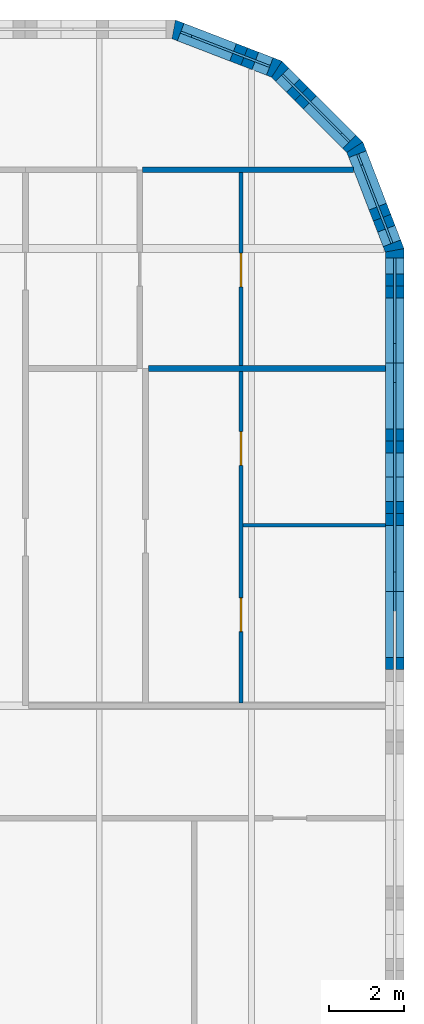
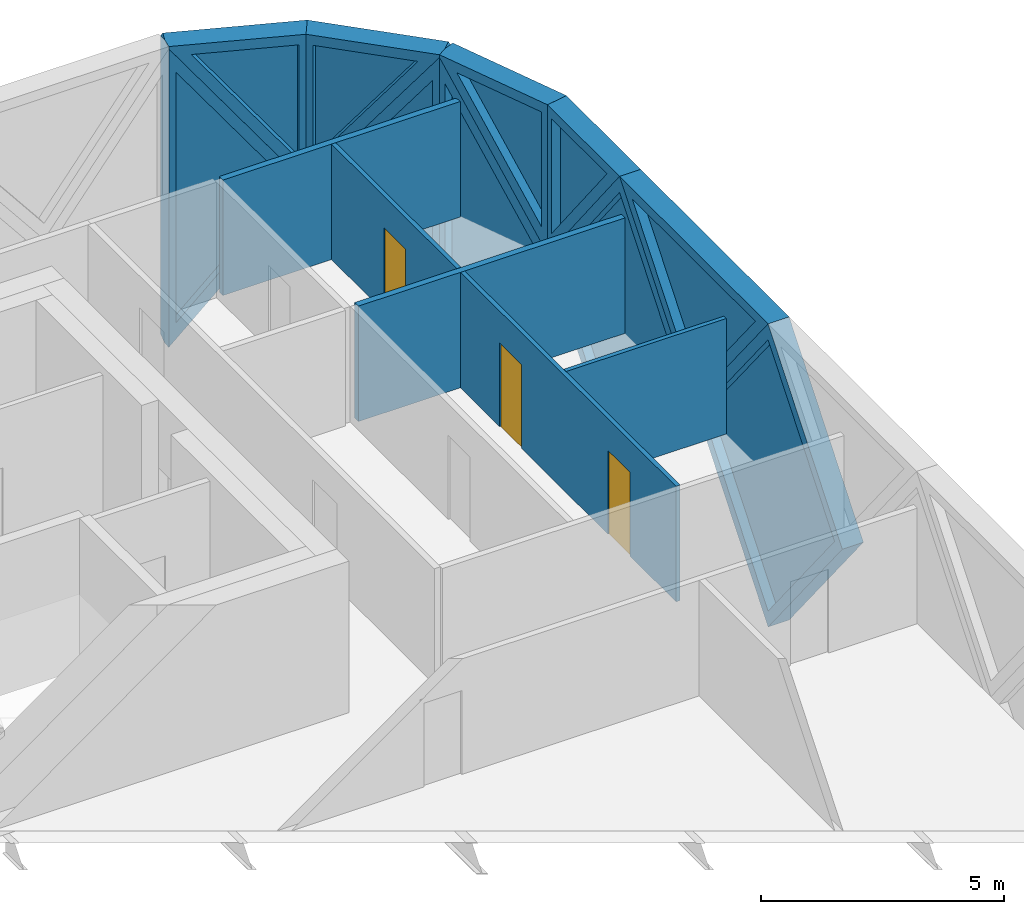
# One storey, part 18 of 21: 15 walls, 10 plates, 3 doors, 13 openings.
"""IFC4 building model written with IfcOpenShell, lengths in metres."""

from ifc_helpers import new_model, si_unit, direction, frame, frame_2d, origin, place, context, subcontext, project, spatial, polyline, rectangle, outline, extrude, faceted_brep, source, transform, mapped, material, layer, layer_set, type_object, element, fill, save


model = new_model("IFC4")

# Units and contexts
model_context = context("Model", 3, precision=1e-05, world=origin(), true_north=direction((0.0, 1.0)))
body_context = subcontext(model_context, "Body", "Model", "MODEL_VIEW")
ifc_project = project(units=[si_unit("LENGTHUNIT", "METRE"), si_unit("AREAUNIT", "SQUARE_METRE"), si_unit("VOLUMEUNIT", "CUBIC_METRE"), si_unit("PLANEANGLEUNIT", "RADIAN"), si_unit("MASSUNIT", "GRAM", prefix="KILO")], contexts=[model_context])

# Site, building, storey
site_placement = place(None, origin())
site = spatial("IfcSite", under=ifc_project, at=site_placement, CompositionType="ELEMENT")
building_placement = place(site_placement, origin())
building = spatial("IfcBuilding", under=site, at=building_placement, Name="Tessera Gate Towers", CompositionType="ELEMENT")
storey_placement = place(building_placement, frame((0.0, 0.0, 91.39990234375)))
storey = spatial("IfcBuildingStorey", under=building, at=storey_placement, Name="L22", CompositionType="ELEMENT", Elevation=91.39990234375)

# Wall, openings, doors
ifc_material_1 = material(Name="Gypsum board on steel studs", Category="steel")
ifc_layer_1 = layer(ifc_material_1, 0.10009765625)
ifc_layer_set_1 = layer_set([ifc_layer_1], Name="PARTITION 100")
wall_type_1 = type_object("IfcWallType", Name="PARTITION 100", PredefinedType="PARTITIONING", material=ifc_layer_set_1)
wall_1_placement = place(storey_placement, frame((129.85009765625, 45.52392578125, 0.0), z_axis=(0.0, 0.0, 1.0), x_axis=(0.0, -1.0, 0.0)))
wall_1 = element("IfcWall", 1, at=wall_1_placement, inside=storey, type_object=wall_type_1, Name="T2-L22-PW-028", PredefinedType="PARTITIONING", context=body_context, shape_type="SweptSolid", body=[
    extrude(rectangle(XDim=8.847900390625, YDim=0.10009765625, at=frame_2d((4.423828125, 0.0))), origin(), (0.0, 0.0, 1.0), 2.89501953125),
])
shared_shape_1 = source(origin(), body_context, "Body", "SweptSolid", [
    extrude(rectangle(XDim=0.89990234375, YDim=2.10009765625, at=frame_2d((0.449951171875, 1.050048828125))), frame((0.0, 0.06005859375, 0.0), z_axis=(0.0, -1.0, 0.0), x_axis=(1.0, 0.0, 0.0)), (0.0, 0.0, 1.0), 0.1201171875),
])
opening_1_placement = place(wall_1_placement, frame((1.60791015625, 0.0, 0.0)))
opening_1 = element("IfcOpeningElement", 2, at=opening_1_placement, cuts=wall_1, Name="Opening D190-B09-01", PredefinedType="OPENING", context=body_context, shape_type="MappedRepresentation", body=[
    mapped(shared_shape_1, transform((0.0, 0.0, 0.0), scale=1.0)),
])
opening_2_placement = place(wall_1_placement, frame((6.048095703125, 0.0, 0.0)))
opening_2 = element("IfcOpeningElement", 3, at=opening_2_placement, cuts=wall_1, Name="Opening D190-B09-05", PredefinedType="OPENING", context=body_context, shape_type="MappedRepresentation", body=[
    mapped(shared_shape_1, transform((0.0, 0.0, 0.0), scale=1.0)),
])
ifc_material_2 = material(Name="Timber door leaf in steel frame", Category="steel")
door_type = type_object("IfcDoorType", Name="INTERNAL DOOR 900 NOT RATED", OperationType="NOTDEFINED", PredefinedType="DOOR", material=ifc_material_2)
shared_shape_2 = source(origin(), body_context, "Body", "SweptSolid", [
    extrude(rectangle(XDim=0.89990234375, YDim=2.10009765625, at=frame_2d((0.449951171875, 1.050048828125))), frame((0.0, 0.02490234375, 0.0), z_axis=(0.0, -1.0, 0.0), x_axis=(1.0, 0.0, 0.0)), (0.0, 0.0, 1.0), 0.050048828125),
])
door_1_placement = place(opening_1_placement, origin())
door_1 = element("IfcDoor", 4, at=door_1_placement, inside=storey, type_object=door_type, Name="T2-L22-PD-001", OperationType="SINGLE_SWING_RIGHT", OverallHeight=2.10009765625, OverallWidth=0.89990234375, PredefinedType="DOOR", context=body_context, shape_type="MappedRepresentation", body=[
    mapped(shared_shape_2, transform((0.0, 0.0, 0.0), scale=1.0)),
])
fill(opening_1, door_1)
door_2_placement = place(opening_2_placement, origin())
door_2 = element("IfcDoor", 5, at=door_2_placement, inside=storey, type_object=door_type, Name="T2-L22-PD-006", OperationType="SINGLE_SWING_RIGHT", OverallHeight=2.10009765625, OverallWidth=0.89990234375, PredefinedType="DOOR", context=body_context, shape_type="MappedRepresentation", body=[
    mapped(shared_shape_2, transform((0.0, 0.0, 0.0), scale=1.0)),
])
fill(opening_2, door_2)

# Wall
wall_2_placement = place(storey_placement, frame((129.90087890625, 41.4150390625, 0.0), z_axis=(0.0, 0.0, 1.0), x_axis=(1.0, 0.0, 0.0)))
element("IfcWall", 6, at=wall_2_placement, inside=storey, type_object=wall_type_1, Name="T2-L22-PW-030", PredefinedType="PARTITIONING", context=body_context, shape_type="SweptSolid", body=[
    extrude(rectangle(XDim=3.799072265625, YDim=0.10009765625, at=frame_2d((1.8994140625, 0.0))), origin(), (0.0, 0.0, 1.0), 2.89501953125),
])

# Wall, opening, door
wall_3_placement = place(storey_placement, frame((129.85009765625, 50.823974609375, 0.0), z_axis=(0.0, 0.0, 1.0), x_axis=(0.0, -1.0, 0.0)))
wall_3 = element("IfcWall", 7, at=wall_3_placement, inside=storey, type_object=wall_type_1, Name="T2-L22-PW-037", PredefinedType="PARTITIONING", context=body_context, shape_type="SweptSolid", body=[
    extrude(rectangle(XDim=5.14794921875, YDim=0.10009765625, at=frame_2d((2.573974609375, 0.0))), origin(), (0.0, 0.0, 1.0), 2.89501953125),
])
opening_3_placement = place(wall_3_placement, frame((2.14794921875, 0.0, 0.0)))
opening_3 = element("IfcOpeningElement", 8, at=opening_3_placement, cuts=wall_3, Name="Opening D190-B09-07", PredefinedType="OPENING", context=body_context, shape_type="MappedRepresentation", body=[
    mapped(shared_shape_1, transform((0.0, 0.0, 0.0), scale=1.0)),
])
door_3_placement = place(opening_3_placement, origin())
door_3 = element("IfcDoor", 9, at=door_3_placement, inside=storey, type_object=door_type, Name="T2-L22-PD-009", OperationType="SINGLE_SWING_RIGHT", OverallHeight=2.10009765625, OverallWidth=0.89990234375, PredefinedType="DOOR", context=body_context, shape_type="MappedRepresentation", body=[
    mapped(shared_shape_2, transform((0.0, 0.0, 0.0), scale=1.0)),
])
fill(opening_3, door_3)

# Walls
ifc_material_3 = material(Name="Gypsum board on steel studs, mineral wool", Category="steel")
ifc_layer_2 = layer(ifc_material_3, 0.14990234375)
ifc_layer_set_2 = layer_set([ifc_layer_2], Name="TENANCY WALL 150")
wall_type_2 = type_object("IfcWallType", Name="TENANCY WALL 150", PredefinedType="PARTITIONING", material=ifc_layer_set_2)
wall_4_placement = place(storey_placement, frame((127.3759765625, 45.60009765625, 0.0), z_axis=(0.0, 0.0, 1.0), x_axis=(1.0, 0.0, 0.0)))
element("IfcWall", 10, at=wall_4_placement, inside=storey, type_object=wall_type_2, Name="T2-L22-PW-035", PredefinedType="PARTITIONING", context=body_context, shape_type="SweptSolid", body=[
    extrude(rectangle(XDim=6.323974609375, YDim=0.14990234375, at=frame_2d((3.162109375, 0.0))), origin(), (0.0, 0.0, 1.0), 2.89501953125),
])
wall_5_placement = place(storey_placement, frame((127.22607421875, 50.89990234375, 0.0), z_axis=(0.0, 0.0, 1.0), x_axis=(1.0, 0.0, 0.0)))
element("IfcWall", 11, at=wall_5_placement, inside=storey, type_object=wall_type_2, Name="T2-L22-PW-042", PredefinedType="PARTITIONING", context=body_context, shape_type="SweptSolid", body=[
    extrude(rectangle(XDim=5.6279296875, YDim=0.14990234375, at=frame_2d((2.81396484375, 0.0))), origin(), (0.0, 0.0, 1.0), 2.89501953125),
])

# Wall, opening, plate
ifc_material_4 = material(Name="Precast concrete C60/75 white", Category="concrete")
ifc_layer_3 = layer(ifc_material_4, 0.5)
ifc_layer_set_3 = layer_set([ifc_layer_3], Name="TS1 tessera")
wall_type_3 = type_object("IfcWallType", Name="TS1 tessera", PredefinedType="SOLIDWALL", material=ifc_layer_set_3)
shared_shape_3 = source(origin(), body_context, "Body", "Brep", [
    faceted_brep([(3.050048828125, -0.25, 0.0), (6.099853515625, -0.25, 3.799560546875), (6.099853515625, -0.25, 3.800048828125), (3.050048828125, -0.25, 7.599853515625), (0.0, -0.25, 3.7998046875), (0.0, 0.25, 3.7998046875), (3.050048828125, 0.25, 7.599853515625), (6.099853515625, 0.25, 3.800048828125), (6.099853515625, 0.25, 3.799560546875), (3.050048828125, 0.25, 0.0)], [[[0, 1, 2, 3, 4]], [[5, 6, 7, 8, 9]], [[9, 8, 1, 0]], [[7, 6, 3, 2]], [[6, 5, 4, 3]], [[5, 9, 0, 4]], [[1, 8, 7, 2]]]),
])
wall_6_placement = place(storey_placement, frame((133.949951171875, 36.60009765625, -3.7998046875), z_axis=(0.0, 0.0, 1.0), x_axis=(0.0, 1.0, 0.0)))
wall_6 = element("IfcWall", 12, at=wall_6_placement, inside=storey, type_object=wall_type_3, Name="Precast tessera T2 TS1-0277", PredefinedType="SOLIDWALL", context=body_context, shape_type="MappedRepresentation", body=[
    mapped(shared_shape_3, transform((0.0, 0.0, 0.0), scale=1.0)),
])
shared_shape_4 = source(origin(), body_context, "Body", "SweptSolid", [
    extrude(outline(polyline([(3.050048828125, 0.3994140625), (5.779541015625, 3.7998046875), (3.050048828125, 7.200439453125), (0.320556640625, 3.7998046875), (3.050048828125, 0.3994140625)])), frame((0.0, 0.260009765625, 0.0), z_axis=(0.0, -1.0, 0.0), x_axis=(1.0, 0.0, 0.0)), (0.0, 0.0, 1.0), 0.52001953125),
])
opening_4_placement = place(wall_6_placement, origin())
opening_4 = element("IfcOpeningElement", 13, at=opening_4_placement, cuts=wall_6, Name="Opening T2-PL2-0523", PredefinedType="OPENING", context=body_context, shape_type="MappedRepresentation", body=[
    mapped(shared_shape_4, transform((0.0, 0.0, 0.0), scale=1.0)),
])
ifc_material_5 = material(Name="Low-e laminated glass", Category="glass")
ifc_layer_4 = layer(ifc_material_5, 0.06005859375)
ifc_layer_set_4 = layer_set([ifc_layer_4], Name="PL2 rhombic pane")
plate_type_1 = type_object("IfcPlateType", Name="PL2 rhombic pane", PredefinedType="SHEET", material=ifc_layer_set_4)
shared_shape_5 = source(origin(), body_context, "Body", "SweptSolid", [
    extrude(outline(polyline([(3.050048828125, 0.3994140625), (5.779541015625, 3.7998046875), (3.050048828125, 7.200439453125), (0.320556640625, 3.7998046875), (3.050048828125, 0.3994140625)])), frame((0.0, 0.030029296875, 0.0), z_axis=(0.0, -1.0, 0.0), x_axis=(1.0, 0.0, 0.0)), (0.0, 0.0, 1.0), 0.06005859375),
])
plate_1_placement = place(opening_4_placement, origin())
plate_1 = element("IfcPlate", 14, at=plate_1_placement, inside=storey, type_object=plate_type_1, Name="Glass pane T2 PL2-0523", PredefinedType="SHEET", context=body_context, shape_type="MappedRepresentation", body=[
    mapped(shared_shape_5, transform((0.0, 0.0, 0.0), scale=1.0)),
])
fill(opening_4, plate_1)

shared_shape_6 = source(origin(), body_context, "Body", "Brep", [
    faceted_brep([(3.050048828125, -0.25, 0.0), (6.053466796875, -0.25, 3.7998046875), (3.050048828125, -0.25, 7.599853515625), (0.0, -0.25, 3.7998046875), (0.0, 0.25, 3.7998046875), (3.050048828125, 0.25, 7.599853515625), (6.0068359375, 0.25, 3.858642578125), (6.0068359375, 0.25, 3.740966796875), (3.050048828125, 0.25, 0.0), (6.053466796875, 0.0, 3.7998046875)], [[[0, 1, 2, 3]], [[4, 5, 6, 7, 8]], [[8, 7, 9, 1, 0]], [[6, 5, 2, 1, 9]], [[5, 4, 3, 2]], [[4, 8, 0, 3]], [[9, 7, 6]]]),
])
wall_7_placement = place(storey_placement, frame((133.949951171875, 42.699951171875, -3.7998046875), z_axis=(0.0, 0.0, 1.0), x_axis=(0.0, 1.0, 0.0)))
wall_7 = element("IfcWall", 15, at=wall_7_placement, inside=storey, type_object=wall_type_3, Name="Precast tessera T2 TS1-0278", PredefinedType="SOLIDWALL", context=body_context, shape_type="MappedRepresentation", body=[
    mapped(shared_shape_6, transform((0.0, 0.0, 0.0), scale=1.0)),
])
shared_shape_7 = source(origin(), body_context, "Body", "SweptSolid", [
    extrude(outline(polyline([(3.048583984375, 0.401123046875), (5.73486328125, 3.7998046875), (3.048583984375, 7.19873046875), (0.320556640625, 3.7998046875), (3.048583984375, 0.401123046875)])), frame((0.0, 0.260009765625, 0.0), z_axis=(0.0, -1.0, 0.0), x_axis=(1.0, 0.0, 0.0)), (0.0, 0.0, 1.0), 0.52001953125),
])
opening_5_placement = place(wall_7_placement, origin())
opening_5 = element("IfcOpeningElement", 16, at=opening_5_placement, cuts=wall_7, Name="Opening T2-PL2-0524", PredefinedType="OPENING", context=body_context, shape_type="MappedRepresentation", body=[
    mapped(shared_shape_7, transform((0.0, 0.0, 0.0), scale=1.0)),
])
shared_shape_8 = source(origin(), body_context, "Body", "SweptSolid", [
    extrude(outline(polyline([(3.048583984375, 0.401123046875), (5.73486328125, 3.7998046875), (3.048583984375, 7.19873046875), (0.320556640625, 3.7998046875), (3.048583984375, 0.401123046875)])), frame((0.0, 0.030029296875, 0.0), z_axis=(0.0, -1.0, 0.0), x_axis=(1.0, 0.0, 0.0)), (0.0, 0.0, 1.0), 0.06005859375),
])
plate_2_placement = place(opening_5_placement, origin())
plate_2 = element("IfcPlate", 17, at=plate_2_placement, inside=storey, type_object=plate_type_1, Name="Glass pane T2 PL2-0524", PredefinedType="SHEET", context=body_context, shape_type="MappedRepresentation", body=[
    mapped(shared_shape_8, transform((0.0, 0.0, 0.0), scale=1.0)),
])
fill(opening_5, plate_2)

ifc_material_6 = material(Name="Precast concrete C60/75 white", Category="concrete")
ifc_layer_5 = layer(ifc_material_6, 0.5)
ifc_layer_set_5 = layer_set([ifc_layer_5], Name="TS3 corner tessera")
wall_type_4 = type_object("IfcWallType", Name="TS3 corner tessera", PredefinedType="SOLIDWALL", material=ifc_layer_set_5)
shared_shape_9 = source(origin(), body_context, "Body", "Brep", [
    faceted_brep([(2.950439453125, -0.25, 0.0), (2.9970703125, -0.25, 0.05908203125), (2.9970703125, -0.25, 7.540771484375), (2.950439453125, -0.25, 7.599853515625), (0.0, -0.25, 3.7998046875), (0.052978515625, 0.25, 3.867919921875), (2.904052734375, 0.25, 7.5400390625), (2.904052734375, 0.25, 0.059814453125), (0.052978515625, 0.25, 3.731689453125), (2.950439453125, 0.00048828125, 0.0), (2.950439453125, 0.00048828125, 7.599853515625), (0.0, 0.0, 3.7998046875)], [[[0, 1, 2, 3, 4]], [[5, 6, 7, 8]], [[1, 0, 9]], [[10, 3, 2]], [[6, 5, 11, 4, 3, 10]], [[8, 7, 9, 0, 4, 11]], [[8, 11, 5]], [[1, 9, 7, 6, 10, 2]]]),
])
wall_8_placement = place(storey_placement, frame((130.80615234375, 53.588134765625, -3.7998046875), z_axis=(0.0, 0.0, 1.0), x_axis=(-0.932990326376, 0.359901446078, 0.0)))
wall_8 = element("IfcWall", 18, at=wall_8_placement, inside=storey, type_object=wall_type_4, Name="Precast corner tessera T2 TS3-0329", PredefinedType="SOLIDWALL", context=body_context, shape_type="MappedRepresentation", body=[
    mapped(shared_shape_9, transform((0.0, 0.0, 0.0), scale=1.0)),
])
shared_shape_10 = source(origin(), body_context, "Body", "SweptSolid", [
    extrude(outline(polyline([(2.75048828125, 6.9345703125), (0.31640625, 3.7998046875), (2.75048828125, 0.6650390625), (2.75048828125, 6.9345703125)])), frame((0.0, 0.260009765625, 0.0), z_axis=(0.0, -1.0, 0.0), x_axis=(1.0, 0.0, 0.0)), (0.0, 0.0, 1.0), 0.52001953125),
])
opening_6_placement = place(wall_8_placement, origin())
opening_6 = element("IfcOpeningElement", 19, at=opening_6_placement, cuts=wall_8, Name="Opening T2-PL2-0527", PredefinedType="OPENING", context=body_context, shape_type="MappedRepresentation", body=[
    mapped(shared_shape_10, transform((0.0, 0.0, 0.0), scale=1.0)),
])
shared_shape_11 = source(origin(), body_context, "Body", "SweptSolid", [
    extrude(outline(polyline([(2.75048828125, 6.9345703125), (0.31640625, 3.7998046875), (2.75048828125, 0.6650390625), (2.75048828125, 6.9345703125)])), frame((0.0, 0.030029296875, 0.0), z_axis=(0.0, -1.0, 0.0), x_axis=(1.0, 0.0, 0.0)), (0.0, 0.0, 1.0), 0.06005859375),
])
plate_3_placement = place(opening_6_placement, origin())
plate_3 = element("IfcPlate", 20, at=plate_3_placement, inside=storey, type_object=plate_type_1, Name="Glass pane T2 PL2-0527", PredefinedType="SHEET", context=body_context, shape_type="MappedRepresentation", body=[
    mapped(shared_shape_11, transform((0.0, 0.0, 0.0), scale=1.0)),
])
fill(opening_6, plate_3)

shared_shape_12 = source(origin(), body_context, "Body", "Brep", [
    faceted_brep([(0.052978515625, -0.25, 0.0), (2.9970703125, -0.25, 3.7998046875), (0.052978515625, -0.25, 7.599853515625), (0.0, -0.25, 7.53173828125), (0.0, -0.25, 0.068115234375), (0.10595703125, 0.25, 7.531494140625), (2.944091796875, 0.25, 3.867919921875), (2.944091796875, 0.25, 3.731689453125), (0.10595703125, 0.25, 0.068359375), (2.9970703125, 0.000244140625, 3.7998046875), (0.052978515625, 0.0, 0.0), (0.052978515625, 0.0, 7.599853515625)], [[[0, 1, 2, 3, 4]], [[5, 6, 7, 8]], [[8, 7, 9, 1, 0, 10]], [[6, 5, 11, 2, 1, 9]], [[3, 2, 11]], [[10, 0, 4]], [[8, 10, 4, 3, 11, 5]], [[9, 7, 6]]]),
])
wall_9_placement = place(storey_placement, frame((132.925537109375, 51.46875, -3.7998046875), z_axis=(0.0, 0.0, 1.0), x_axis=(-0.707066050402, 0.707147509625, 0.0)))
wall_9 = element("IfcWall", 21, at=wall_9_placement, inside=storey, type_object=wall_type_4, Name="Precast corner tessera T2 TS3-0328", PredefinedType="SOLIDWALL", context=body_context, shape_type="MappedRepresentation", body=[
    mapped(shared_shape_12, transform((0.0, 0.0, 0.0), scale=1.0)),
])
shared_shape_13 = source(origin(), body_context, "Body", "SweptSolid", [
    extrude(outline(polyline([(0.2529296875, 0.666259765625), (2.680908203125, 3.7998046875), (0.2529296875, 6.93359375), (0.2529296875, 0.666259765625)])), frame((0.0, 0.260009765625, 0.0), z_axis=(0.0, -1.0, 0.0), x_axis=(1.0, 0.0, 0.0)), (0.0, 0.0, 1.0), 0.52001953125),
])
opening_7_placement = place(wall_9_placement, origin())
opening_7 = element("IfcOpeningElement", 22, at=opening_7_placement, cuts=wall_9, Name="Opening T2-PL2-0526", PredefinedType="OPENING", context=body_context, shape_type="MappedRepresentation", body=[
    mapped(shared_shape_13, transform((0.0, 0.0, 0.0), scale=1.0)),
])
shared_shape_14 = source(origin(), body_context, "Body", "SweptSolid", [
    extrude(outline(polyline([(0.2529296875, 0.666259765625), (2.680908203125, 3.7998046875), (0.2529296875, 6.93359375), (0.2529296875, 0.666259765625)])), frame((0.0, 0.030029296875, 0.0), z_axis=(0.0, -1.0, 0.0), x_axis=(1.0, 0.0, 0.0)), (0.0, 0.0, 1.0), 0.06005859375),
])
plate_4_placement = place(opening_7_placement, origin())
plate_4 = element("IfcPlate", 23, at=plate_4_placement, inside=storey, type_object=plate_type_1, Name="Glass pane T2 PL2-0526", PredefinedType="SHEET", context=body_context, shape_type="MappedRepresentation", body=[
    mapped(shared_shape_14, transform((0.0, 0.0, 0.0), scale=1.0)),
])
fill(opening_7, plate_4)

shared_shape_15 = source(origin(), body_context, "Body", "Brep", [
    faceted_brep([(2.950439453125, -0.25, 0.0), (3.00341796875, -0.25, 0.068359375), (3.00341796875, -0.25, 7.531494140625), (2.950439453125, -0.25, 7.599853515625), (0.0, -0.25, 3.7998046875), (0.046630859375, 0.25, 3.85986328125), (2.897705078125, 0.25, 7.53173828125), (2.897705078125, 0.25, 0.068115234375), (0.046630859375, 0.25, 3.73974609375), (2.950439453125, 0.00048828125, 0.0), (2.950439453125, 0.00048828125, 7.599853515625), (0.0, 0.0, 3.7998046875)], [[[0, 1, 2, 3, 4]], [[5, 6, 7, 8]], [[1, 0, 9]], [[10, 3, 2]], [[6, 5, 11, 4, 3, 10]], [[8, 7, 9, 0, 4, 11]], [[8, 11, 5]], [[1, 9, 7, 6, 10, 2]]]),
])
wall_10_placement = place(storey_placement, frame((133.949951171875, 48.75341796875, -3.7998046875), z_axis=(0.0, 0.0, 1.0), x_axis=(-0.359855894603, 0.933007896601, 0.0)))
wall_10 = element("IfcWall", 24, at=wall_10_placement, inside=storey, type_object=wall_type_4, Name="Precast corner tessera T2 TS3-0327", PredefinedType="SOLIDWALL", context=body_context, shape_type="MappedRepresentation", body=[
    mapped(shared_shape_15, transform((0.0, 0.0, 0.0), scale=1.0)),
])
opening_8_placement = place(wall_10_placement, origin())
opening_8 = element("IfcOpeningElement", 25, at=opening_8_placement, cuts=wall_10, Name="Opening T2-PL2-0525", PredefinedType="OPENING", context=body_context, shape_type="MappedRepresentation", body=[
    mapped(shared_shape_10, transform((0.0, 0.0, 0.0), scale=1.0)),
])
plate_5_placement = place(opening_8_placement, origin())
plate_5 = element("IfcPlate", 26, at=plate_5_placement, inside=storey, type_object=plate_type_1, Name="Glass pane T2 PL2-0525", PredefinedType="SHEET", context=body_context, shape_type="MappedRepresentation", body=[
    mapped(shared_shape_11, transform((0.0, 0.0, 0.0), scale=1.0)),
])
fill(opening_8, plate_5)

ifc_material_7 = material(Name="Precast concrete C60/75 white", Category="concrete")
ifc_layer_6 = layer(ifc_material_7, 0.5)
ifc_layer_set_6 = layer_set([ifc_layer_6], Name="TS2 half tessera")
wall_type_5 = type_object("IfcWallType", Name="TS2 half tessera", PredefinedType="SOLIDWALL", material=ifc_layer_set_6)
shared_shape_16 = source(origin(), body_context, "Body", "SweptSolid", [
    extrude(outline(polyline([(3.050048828125, 0.0), (6.10009765625, 3.800048828125), (0.0, 3.800048828125), (3.050048828125, 0.0)])), frame((0.0, 0.25, 0.0), z_axis=(0.0, -1.0, 0.0), x_axis=(1.0, 0.0, 0.0)), (0.0, 0.0, 1.0), 0.5),
])
wall_11_placement = place(storey_placement, frame((133.949951171875, 39.64990234375, 0.0), z_axis=(0.0, 0.0, 1.0), x_axis=(0.0, 1.0, 0.0)))
wall_11 = element("IfcWall", 27, at=wall_11_placement, inside=storey, type_object=wall_type_5, Name="Precast half tessera T2 TS2-0098", PredefinedType="SOLIDWALL", context=body_context, shape_type="MappedRepresentation", body=[
    mapped(shared_shape_16, transform((0.0, 0.0, 0.0), scale=1.0)),
])
shared_shape_17 = source(origin(), body_context, "Body", "SweptSolid", [
    extrude(outline(polyline([(3.050048828125, 0.3994140625), (5.578857421875, 3.550048828125), (0.521240234375, 3.550048828125), (3.050048828125, 0.3994140625)])), frame((0.0, 0.260009765625, 0.0), z_axis=(0.0, -1.0, 0.0), x_axis=(1.0, 0.0, 0.0)), (0.0, 0.0, 1.0), 0.52001953125),
])
opening_9_placement = place(wall_11_placement, origin())
opening_9 = element("IfcOpeningElement", 28, at=opening_9_placement, cuts=wall_11, Name="Opening T2-PL1-0182", PredefinedType="OPENING", context=body_context, shape_type="MappedRepresentation", body=[
    mapped(shared_shape_17, transform((0.0, 0.0, 0.0), scale=1.0)),
])
ifc_material_8 = material(Name="Low-e laminated glass", Category="glass")
ifc_layer_7 = layer(ifc_material_8, 0.06005859375)
ifc_layer_set_7 = layer_set([ifc_layer_7], Name="PL1 triangular pane")
plate_type_2 = type_object("IfcPlateType", Name="PL1 triangular pane", PredefinedType="SHEET", material=ifc_layer_set_7)
shared_shape_18 = source(origin(), body_context, "Body", "SweptSolid", [
    extrude(outline(polyline([(3.050048828125, 0.3994140625), (5.578857421875, 3.550048828125), (0.521240234375, 3.550048828125), (3.050048828125, 0.3994140625)])), frame((0.0, 0.030029296875, 0.0), z_axis=(0.0, -1.0, 0.0), x_axis=(1.0, 0.0, 0.0)), (0.0, 0.0, 1.0), 0.06005859375),
])
plate_6_placement = place(opening_9_placement, origin())
plate_6 = element("IfcPlate", 29, at=plate_6_placement, inside=storey, type_object=plate_type_2, Name="Glass pane T2 PL1-0182", PredefinedType="SHEET", context=body_context, shape_type="MappedRepresentation", body=[
    mapped(shared_shape_18, transform((0.0, 0.0, 0.0), scale=1.0)),
])
fill(opening_9, plate_6)

shared_shape_19 = source(origin(), body_context, "Body", "Brep", [
    faceted_brep([(3.00341796875, -0.25, 0.0), (3.050048828125, -0.25, 0.06005859375), (3.050048828125, -0.25, 3.800048828125), (0.0, -0.25, 3.800048828125), (0.0, 0.25, 3.800048828125), (2.956787109375, 0.25, 3.800048828125), (2.956787109375, 0.25, 0.058837890625), (3.00341796875, 0.000244140625, 0.0)], [[[0, 1, 2, 3]], [[4, 5, 6]], [[1, 0, 7]], [[5, 4, 3, 2]], [[4, 6, 7, 0, 3]], [[1, 7, 6, 5, 2]]]),
])
wall_12_placement = place(storey_placement, frame((133.949951171875, 45.75, 0.0), z_axis=(0.0, 0.0, 1.0), x_axis=(0.0, 1.0, 0.0)))
wall_12 = element("IfcWall", 30, at=wall_12_placement, inside=storey, type_object=wall_type_4, Name="Precast corner tessera T2 TS3-0341", PredefinedType="SOLIDWALL", context=body_context, shape_type="MappedRepresentation", body=[
    mapped(shared_shape_19, transform((0.0, 0.0, 0.0), scale=1.0)),
])
shared_shape_20 = source(origin(), body_context, "Body", "SweptSolid", [
    extrude(outline(polyline([(2.803466796875, 3.550048828125), (0.516357421875, 3.550048828125), (2.803466796875, 0.65625), (2.803466796875, 3.550048828125)])), frame((0.0, 0.260009765625, 0.0), z_axis=(0.0, -1.0, 0.0), x_axis=(1.0, 0.0, 0.0)), (0.0, 0.0, 1.0), 0.52001953125),
])
opening_10_placement = place(wall_12_placement, origin())
opening_10 = element("IfcOpeningElement", 31, at=opening_10_placement, cuts=wall_12, Name="Opening T2-PL1-0183", PredefinedType="OPENING", context=body_context, shape_type="MappedRepresentation", body=[
    mapped(shared_shape_20, transform((0.0, 0.0, 0.0), scale=1.0)),
])
shared_shape_21 = source(origin(), body_context, "Body", "SweptSolid", [
    extrude(outline(polyline([(2.803466796875, 3.550048828125), (0.516357421875, 3.550048828125), (2.803466796875, 0.65625), (2.803466796875, 3.550048828125)])), frame((0.0, 0.030029296875, 0.0), z_axis=(0.0, -1.0, 0.0), x_axis=(1.0, 0.0, 0.0)), (0.0, 0.0, 1.0), 0.06005859375),
])
plate_7_placement = place(opening_10_placement, origin())
plate_7 = element("IfcPlate", 32, at=plate_7_placement, inside=storey, type_object=plate_type_2, Name="Glass pane T2 PL1-0183", PredefinedType="SHEET", context=body_context, shape_type="MappedRepresentation", body=[
    mapped(shared_shape_21, transform((0.0, 0.0, 0.0), scale=1.0)),
])
fill(opening_10, plate_7)

shared_shape_22 = source(origin(), body_context, "Body", "Brep", [
    faceted_brep([(0.046630859375, -0.25, 0.0), (2.9970703125, -0.25, 3.800048828125), (0.0, -0.25, 3.800048828125), (0.0, -0.25, 0.058837890625), (0.09326171875, 0.25, 3.800048828125), (2.9443359375, 0.25, 3.800048828125), (2.9443359375, 0.25, 3.73193359375), (0.09326171875, 0.25, 0.06005859375), (2.9970703125, 0.00048828125, 3.800048828125), (0.046630859375, 0.0, 0.0)], [[[0, 1, 2, 3]], [[4, 5, 6, 7]], [[7, 6, 8, 1, 0, 9]], [[5, 4, 2, 1, 8]], [[9, 0, 3]], [[7, 9, 3, 2, 4]], [[6, 5, 8]]]),
])
wall_13_placement = place(storey_placement, frame((133.966796875, 48.7099609375, 0.0), z_axis=(0.0, 0.0, 1.0), x_axis=(-0.359901446078, 0.932990326376, 0.0)))
wall_13 = element("IfcWall", 33, at=wall_13_placement, inside=storey, type_object=wall_type_4, Name="Precast corner tessera T2 TS3-0342", PredefinedType="SOLIDWALL", context=body_context, shape_type="MappedRepresentation", body=[
    mapped(shared_shape_22, transform((0.0, 0.0, 0.0), scale=1.0)),
])
shared_shape_23 = source(origin(), body_context, "Body", "SweptSolid", [
    extrude(outline(polyline([(0.24658203125, 0.665283203125), (2.486572265625, 3.550048828125), (0.24658203125, 3.550048828125), (0.24658203125, 0.665283203125)])), frame((0.0, 0.260009765625, 0.0), z_axis=(0.0, -1.0, 0.0), x_axis=(1.0, 0.0, 0.0)), (0.0, 0.0, 1.0), 0.52001953125),
])
opening_11_placement = place(wall_13_placement, origin())
opening_11 = element("IfcOpeningElement", 34, at=opening_11_placement, cuts=wall_13, Name="Opening T2-PL1-0184", PredefinedType="OPENING", context=body_context, shape_type="MappedRepresentation", body=[
    mapped(shared_shape_23, transform((0.0, 0.0, 0.0), scale=1.0)),
])
shared_shape_24 = source(origin(), body_context, "Body", "SweptSolid", [
    extrude(outline(polyline([(0.24658203125, 0.665283203125), (2.486572265625, 3.550048828125), (0.24658203125, 3.550048828125), (0.24658203125, 0.665283203125)])), frame((0.0, 0.030029296875, 0.0), z_axis=(0.0, -1.0, 0.0), x_axis=(1.0, 0.0, 0.0)), (0.0, 0.0, 1.0), 0.06005859375),
])
plate_8_placement = place(opening_11_placement, origin())
plate_8 = element("IfcPlate", 35, at=plate_8_placement, inside=storey, type_object=plate_type_2, Name="Glass pane T2 PL1-0184", PredefinedType="SHEET", context=body_context, shape_type="MappedRepresentation", body=[
    mapped(shared_shape_24, transform((0.0, 0.0, 0.0), scale=1.0)),
])
fill(opening_11, plate_8)

shared_shape_25 = source(origin(), body_context, "Body", "Brep", [
    faceted_brep([(2.944091796875, -0.25, 0.0), (2.9970703125, -0.25, 0.068115234375), (2.9970703125, -0.25, 3.800048828125), (0.0, -0.25, 3.800048828125), (0.052978515625, 0.25, 3.800048828125), (2.89111328125, 0.25, 3.800048828125), (2.89111328125, 0.25, 0.068115234375), (0.052978515625, 0.25, 3.731689453125), (2.944091796875, 0.000244140625, 0.0), (0.0, 0.0, 3.800048828125)], [[[0, 1, 2, 3]], [[4, 5, 6, 7]], [[1, 0, 8]], [[5, 4, 9, 3, 2]], [[7, 6, 8, 0, 3, 9]], [[7, 9, 4]], [[1, 8, 6, 5, 2]]]),
])
wall_14_placement = place(storey_placement, frame((132.88818359375, 51.50634765625, 0.0), z_axis=(0.0, 0.0, 1.0), x_axis=(-0.707147509625, 0.707066050402, 0.0)))
wall_14 = element("IfcWall", 36, at=wall_14_placement, inside=storey, type_object=wall_type_4, Name="Precast corner tessera T2 TS3-0343", PredefinedType="SOLIDWALL", context=body_context, shape_type="MappedRepresentation", body=[
    mapped(shared_shape_25, transform((0.0, 0.0, 0.0), scale=1.0)),
])
shared_shape_26 = source(origin(), body_context, "Body", "SweptSolid", [
    extrude(outline(polyline([(2.744140625, 3.550048828125), (0.510009765625, 3.550048828125), (2.744140625, 0.66650390625), (2.744140625, 3.550048828125)])), frame((0.0, 0.260009765625, 0.0), z_axis=(0.0, -1.0, 0.0), x_axis=(1.0, 0.0, 0.0)), (0.0, 0.0, 1.0), 0.52001953125),
])
opening_12_placement = place(wall_14_placement, origin())
opening_12 = element("IfcOpeningElement", 37, at=opening_12_placement, cuts=wall_14, Name="Opening T2-PL1-0185", PredefinedType="OPENING", context=body_context, shape_type="MappedRepresentation", body=[
    mapped(shared_shape_26, transform((0.0, 0.0, 0.0), scale=1.0)),
])
shared_shape_27 = source(origin(), body_context, "Body", "SweptSolid", [
    extrude(outline(polyline([(2.744140625, 3.550048828125), (0.510009765625, 3.550048828125), (2.744140625, 0.66650390625), (2.744140625, 3.550048828125)])), frame((0.0, 0.030029296875, 0.0), z_axis=(0.0, -1.0, 0.0), x_axis=(1.0, 0.0, 0.0)), (0.0, 0.0, 1.0), 0.06005859375),
])
plate_9_placement = place(opening_12_placement, origin())
plate_9 = element("IfcPlate", 38, at=plate_9_placement, inside=storey, type_object=plate_type_2, Name="Glass pane T2 PL1-0185", PredefinedType="SHEET", context=body_context, shape_type="MappedRepresentation", body=[
    mapped(shared_shape_27, transform((0.0, 0.0, 0.0), scale=1.0)),
])
fill(opening_12, plate_9)

shared_shape_28 = source(origin(), body_context, "Body", "Brep", [
    faceted_brep([(0.052978515625, -0.25, 0.0), (3.00341796875, -0.25, 3.800048828125), (0.0, -0.25, 3.800048828125), (0.0, -0.25, 0.068359375), (0.10595703125, 0.25, 3.800048828125), (2.95703125, 0.25, 3.800048828125), (2.95703125, 0.25, 3.740234375), (0.10595703125, 0.25, 0.068115234375), (3.00341796875, 0.00048828125, 3.800048828125), (0.052978515625, 0.0, 0.0)], [[[0, 1, 2, 3]], [[4, 5, 6, 7]], [[7, 6, 8, 1, 0, 9]], [[5, 4, 2, 1, 8]], [[9, 0, 3]], [[7, 9, 3, 2, 4]], [[6, 5, 8]]]),
])
wall_15_placement = place(storey_placement, frame((130.855712890625, 53.569091796875, 0.0), z_axis=(0.0, 0.0, 1.0), x_axis=(-0.933007896601, 0.359855894603, 0.0)))
wall_15 = element("IfcWall", 39, at=wall_15_placement, inside=storey, type_object=wall_type_4, Name="Precast corner tessera T2 TS3-0344", PredefinedType="SOLIDWALL", context=body_context, shape_type="MappedRepresentation", body=[
    mapped(shared_shape_28, transform((0.0, 0.0, 0.0), scale=1.0)),
])
shared_shape_29 = source(origin(), body_context, "Body", "SweptSolid", [
    extrude(outline(polyline([(0.2529296875, 0.665283203125), (2.492919921875, 3.550048828125), (0.2529296875, 3.550048828125), (0.2529296875, 0.665283203125)])), frame((0.0, 0.260009765625, 0.0), z_axis=(0.0, -1.0, 0.0), x_axis=(1.0, 0.0, 0.0)), (0.0, 0.0, 1.0), 0.52001953125),
])
opening_13_placement = place(wall_15_placement, origin())
opening_13 = element("IfcOpeningElement", 40, at=opening_13_placement, cuts=wall_15, Name="Opening T2-PL1-0186", PredefinedType="OPENING", context=body_context, shape_type="MappedRepresentation", body=[
    mapped(shared_shape_29, transform((0.0, 0.0, 0.0), scale=1.0)),
])
shared_shape_30 = source(origin(), body_context, "Body", "SweptSolid", [
    extrude(outline(polyline([(0.2529296875, 0.665283203125), (2.492919921875, 3.550048828125), (0.2529296875, 3.550048828125), (0.2529296875, 0.665283203125)])), frame((0.0, 0.030029296875, 0.0), z_axis=(0.0, -1.0, 0.0), x_axis=(1.0, 0.0, 0.0)), (0.0, 0.0, 1.0), 0.06005859375),
])
plate_10_placement = place(opening_13_placement, origin())
plate_10 = element("IfcPlate", 41, at=plate_10_placement, inside=storey, type_object=plate_type_2, Name="Glass pane T2 PL1-0186", PredefinedType="SHEET", context=body_context, shape_type="MappedRepresentation", body=[
    mapped(shared_shape_30, transform((0.0, 0.0, 0.0), scale=1.0)),
])
fill(opening_13, plate_10)

save(model, "model.ifc")
